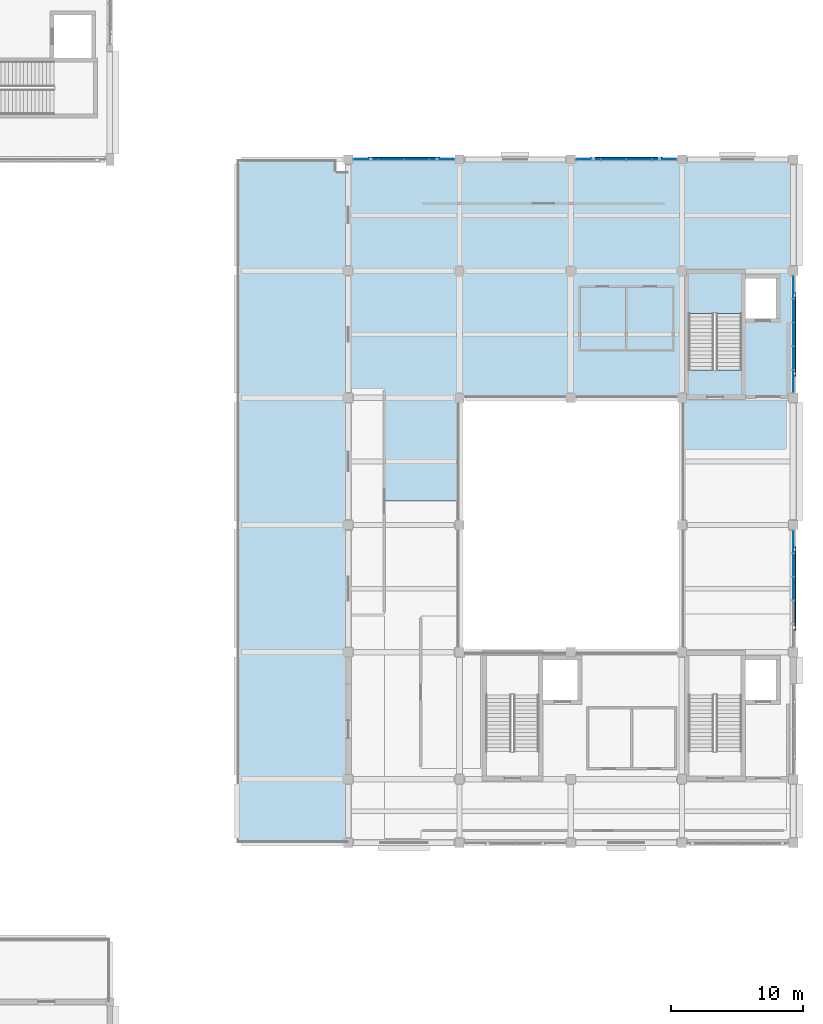
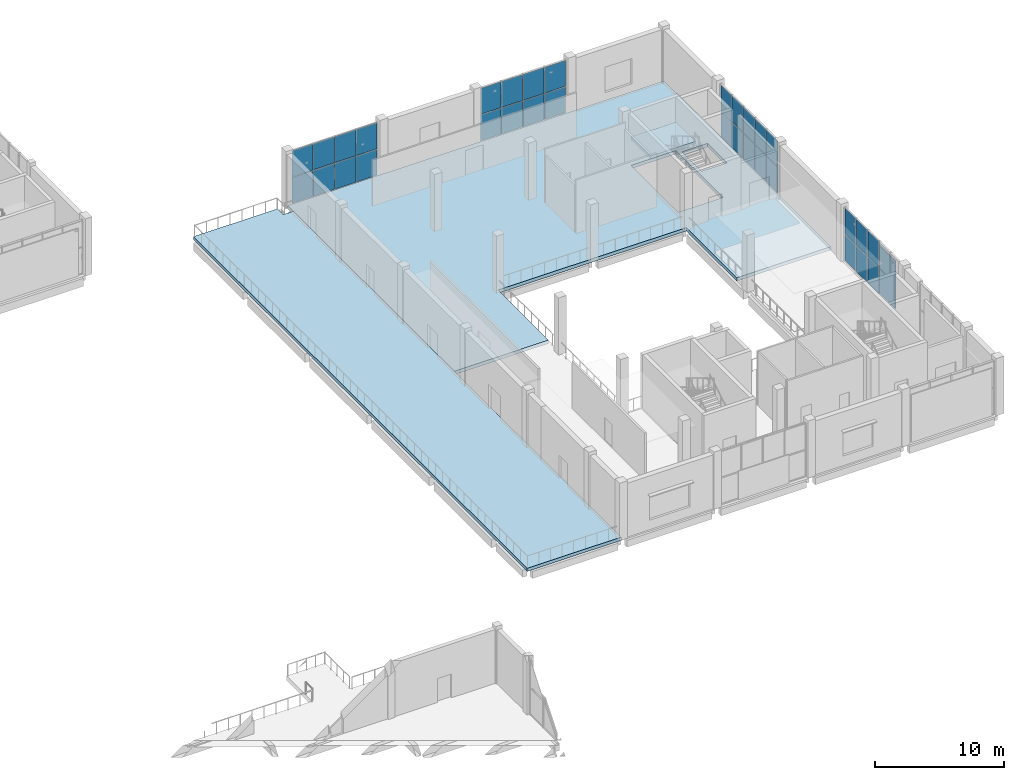
# One storey, part 51 of 83: 36 plates, 3 slabs, 5 elements without a shape of their own.
"""IFC4 building model written with IfcOpenShell, lengths in metres."""

from ifc_helpers import new_model, si_unit, direction, frame, origin, origin_2d, place, context, subcontext, project, spatial, polyline, rectangle, outline, extrude, material, layer, layer_set, type_object, element, aggregate, save


model = new_model("IFC4")

# Units and contexts
model_context = context("Model", 3, precision=1e-05, world=origin(), true_north=direction((0.0, 1.0)))
body_context = subcontext(model_context, "Body", "Model", "MODEL_VIEW")
ifc_project = project(units=[si_unit("LENGTHUNIT", "METRE"), si_unit("AREAUNIT", "SQUARE_METRE"), si_unit("VOLUMEUNIT", "CUBIC_METRE"), si_unit("PLANEANGLEUNIT", "RADIAN"), si_unit("MASSUNIT", "GRAM", prefix="KILO")], contexts=[model_context])

# Site, building, storey
site_placement = place(None, origin())
site = spatial("IfcSite", under=ifc_project, at=site_placement, CompositionType="ELEMENT")
building_placement = place(site_placement, origin())
building = spatial("IfcBuilding", under=site, at=building_placement, Name="Shalvenor Court Art Gallery", CompositionType="ELEMENT")
storey_placement = place(building_placement, frame((0.0, 0.0, 6.0)))
storey = spatial("IfcBuildingStorey", under=building, at=storey_placement, Name="L01", CompositionType="ELEMENT", Elevation=6.0)

# Curtain wall, plates
ifc_material_1 = material(Name="Anodised aluminium and low-iron glass curtain wall", Category="aluminium")
curtain_wall_type_1 = type_object("IfcCurtainWallType", Name="CW-4x2-77-51-612", PredefinedType="USERDEFINED", material=ifc_material_1)
curtain_wall_1_placement = place(storey_placement, origin())
curtain_wall_1 = element("IfcCurtainWall", 1, at=curtain_wall_1_placement, inside=storey, type_object=curtain_wall_type_1, Name="L01 V1 Curtain Wall CW-L01-003", ObjectType="CURTAIN WALL", PredefinedType="USERDEFINED")
ifc_material_2 = material(Name="Low-iron triple-silver solar gallery glazing IGU", Category="glass")
ifc_layer_1 = layer(ifc_material_2, 0.031982421875, Name="Low-iron triple-silver solar gallery glazing IGU")
ifc_layer_set_1 = layer_set([ifc_layer_1], Name="Low-iron triple-silver solar gallery glazing IGU")
plate_type_1 = type_object("IfcPlateType", Name="CWP-02", PredefinedType="CURTAIN_PANEL", material=ifc_layer_set_1)
plate_1_placement = place(storey_placement, frame((144.126220703125, 97.199951171875, 0.06005859375), z_axis=(0.0, 0.0, 1.0), x_axis=(1.0, 0.0, 0.0)))
plate_1 = element("IfcPlate", 2, at=plate_1_placement, type_object=plate_type_1, Name="CW-4x2-77-51-612 panel 1.1", PredefinedType="CURTAIN_PANEL", context=body_context, shape_type="SweptSolid", body=[
    extrude(rectangle(XDim=1.842529296875, YDim=0.031982421875, at=origin_2d()), origin(), (0.0, 0.0, 1.0), 2.449951171875),
])
plate_2_placement = place(storey_placement, frame((144.126220703125, 97.199951171875, 2.56982421875), z_axis=(0.0, 0.0, 1.0), x_axis=(1.0, 0.0, 0.0)))
plate_2 = element("IfcPlate", 3, at=plate_2_placement, type_object=plate_type_1, Name="CW-4x2-77-51-612 panel 1.2", PredefinedType="CURTAIN_PANEL", context=body_context, shape_type="SweptSolid", body=[
    extrude(rectangle(XDim=1.842529296875, YDim=0.031982421875, at=origin_2d()), origin(), (0.0, 0.0, 1.0), 2.449951171875),
])
plate_3_placement = place(storey_placement, frame((146.03759765625, 97.199951171875, 0.06005859375), z_axis=(0.0, 0.0, 1.0), x_axis=(1.0, 0.0, 0.0)))
plate_3 = element("IfcPlate", 4, at=plate_3_placement, type_object=plate_type_1, Name="CW-4x2-77-51-612 panel 2.1", PredefinedType="CURTAIN_PANEL", context=body_context, shape_type="SweptSolid", body=[
    extrude(rectangle(XDim=1.8701171875, YDim=0.031982421875, at=origin_2d()), origin(), (0.0, 0.0, 1.0), 2.449951171875),
])
plate_4_placement = place(storey_placement, frame((146.03759765625, 97.199951171875, 2.56982421875), z_axis=(0.0, 0.0, 1.0), x_axis=(1.0, 0.0, 0.0)))
plate_4 = element("IfcPlate", 5, at=plate_4_placement, type_object=plate_type_1, Name="CW-4x2-77-51-612 panel 2.2", PredefinedType="CURTAIN_PANEL", context=body_context, shape_type="SweptSolid", body=[
    extrude(rectangle(XDim=1.8701171875, YDim=0.031982421875, at=origin_2d()), origin(), (0.0, 0.0, 1.0), 2.449951171875),
])
plate_5_placement = place(storey_placement, frame((147.96240234375, 97.199951171875, 0.06005859375), z_axis=(0.0, 0.0, 1.0), x_axis=(1.0, 0.0, 0.0)))
plate_5 = element("IfcPlate", 6, at=plate_5_placement, type_object=plate_type_1, Name="CW-4x2-77-51-612 panel 3.1", PredefinedType="CURTAIN_PANEL", context=body_context, shape_type="SweptSolid", body=[
    extrude(rectangle(XDim=1.8701171875, YDim=0.031982421875, at=origin_2d()), origin(), (0.0, 0.0, 1.0), 2.449951171875),
])
plate_6_placement = place(storey_placement, frame((147.96240234375, 97.199951171875, 2.56982421875), z_axis=(0.0, 0.0, 1.0), x_axis=(1.0, 0.0, 0.0)))
plate_6 = element("IfcPlate", 7, at=plate_6_placement, type_object=plate_type_1, Name="CW-4x2-77-51-612 panel 3.2", PredefinedType="CURTAIN_PANEL", context=body_context, shape_type="SweptSolid", body=[
    extrude(rectangle(XDim=1.8701171875, YDim=0.031982421875, at=origin_2d()), origin(), (0.0, 0.0, 1.0), 2.449951171875),
])
plate_7_placement = place(storey_placement, frame((149.873779296875, 97.199951171875, 0.06005859375), z_axis=(0.0, 0.0, 1.0), x_axis=(1.0, 0.0, 0.0)))
plate_7 = element("IfcPlate", 8, at=plate_7_placement, type_object=plate_type_1, Name="CW-4x2-77-51-612 panel 4.1", PredefinedType="CURTAIN_PANEL", context=body_context, shape_type="SweptSolid", body=[
    extrude(rectangle(XDim=1.842529296875, YDim=0.031982421875, at=origin_2d()), origin(), (0.0, 0.0, 1.0), 2.449951171875),
])
plate_8_placement = place(storey_placement, frame((149.873779296875, 97.199951171875, 2.56982421875), z_axis=(0.0, 0.0, 1.0), x_axis=(1.0, 0.0, 0.0)))
plate_8 = element("IfcPlate", 9, at=plate_8_placement, type_object=plate_type_1, Name="CW-4x2-77-51-612 panel 4.2", PredefinedType="CURTAIN_PANEL", context=body_context, shape_type="SweptSolid", body=[
    extrude(rectangle(XDim=1.842529296875, YDim=0.031982421875, at=origin_2d()), origin(), (0.0, 0.0, 1.0), 2.449951171875),
])
aggregate(curtain_wall_1, [plate_1, plate_2, plate_3, plate_4, plate_5, plate_6, plate_7, plate_8])

ifc_material_3 = material(Name="Anodised aluminium and low-iron glass curtain wall", Category="aluminium")
curtain_wall_type_2 = type_object("IfcCurtainWallType", Name="CW-4x2-77-51-122", PredefinedType="USERDEFINED", material=ifc_material_3)
curtain_wall_2_placement = place(storey_placement, origin())
curtain_wall_2 = element("IfcCurtainWall", 10, at=curtain_wall_2_placement, inside=storey, type_object=curtain_wall_type_2, Name="L01 V1 Curtain Wall CW-L01-004", ObjectType="CURTAIN WALL", PredefinedType="USERDEFINED")
plate_9_placement = place(storey_placement, frame((160.9287109375, 97.199951171875, 0.06494140625), z_axis=(0.0, 0.0, 1.0), x_axis=(1.0, 0.0, 0.0)))
plate_9 = element("IfcPlate", 11, at=plate_9_placement, type_object=plate_type_1, Name="CW-4x2-77-51-122 panel 1.1", PredefinedType="CURTAIN_PANEL", context=body_context, shape_type="SweptSolid", body=[
    extrude(rectangle(XDim=1.827392578125, YDim=0.031982421875, at=origin_2d()), origin(), (0.0, 0.0, 1.0), 2.4423828125),
])
plate_10_placement = place(storey_placement, frame((160.9287109375, 97.199951171875, 2.572509765625), z_axis=(0.0, 0.0, 1.0), x_axis=(1.0, 0.0, 0.0)))
plate_10 = element("IfcPlate", 12, at=plate_10_placement, type_object=plate_type_1, Name="CW-4x2-77-51-122 panel 1.2", PredefinedType="CURTAIN_PANEL", context=body_context, shape_type="SweptSolid", body=[
    extrude(rectangle(XDim=1.827392578125, YDim=0.031982421875, at=origin_2d()), origin(), (0.0, 0.0, 1.0), 2.4423828125),
])
plate_11_placement = place(storey_placement, frame((162.83740234375, 97.199951171875, 0.06494140625), z_axis=(0.0, 0.0, 1.0), x_axis=(1.0, 0.0, 0.0)))
plate_11 = element("IfcPlate", 13, at=plate_11_placement, type_object=plate_type_1, Name="CW-4x2-77-51-122 panel 2.1", PredefinedType="CURTAIN_PANEL", context=body_context, shape_type="SweptSolid", body=[
    extrude(rectangle(XDim=1.860107421875, YDim=0.031982421875, at=origin_2d()), origin(), (0.0, 0.0, 1.0), 2.4423828125),
])
plate_12_placement = place(storey_placement, frame((162.83740234375, 97.199951171875, 2.572509765625), z_axis=(0.0, 0.0, 1.0), x_axis=(1.0, 0.0, 0.0)))
plate_12 = element("IfcPlate", 14, at=plate_12_placement, type_object=plate_type_1, Name="CW-4x2-77-51-122 panel 2.2", PredefinedType="CURTAIN_PANEL", context=body_context, shape_type="SweptSolid", body=[
    extrude(rectangle(XDim=1.860107421875, YDim=0.031982421875, at=origin_2d()), origin(), (0.0, 0.0, 1.0), 2.4423828125),
])
plate_13_placement = place(storey_placement, frame((164.762451171875, 97.199951171875, 0.06494140625), z_axis=(0.0, 0.0, 1.0), x_axis=(1.0, 0.0, 0.0)))
plate_13 = element("IfcPlate", 15, at=plate_13_placement, type_object=plate_type_1, Name="CW-4x2-77-51-122 panel 3.1", PredefinedType="CURTAIN_PANEL", context=body_context, shape_type="SweptSolid", body=[
    extrude(rectangle(XDim=1.860107421875, YDim=0.031982421875, at=origin_2d()), origin(), (0.0, 0.0, 1.0), 2.4423828125),
])
plate_14_placement = place(storey_placement, frame((164.762451171875, 97.199951171875, 2.572509765625), z_axis=(0.0, 0.0, 1.0), x_axis=(1.0, 0.0, 0.0)))
plate_14 = element("IfcPlate", 16, at=plate_14_placement, type_object=plate_type_1, Name="CW-4x2-77-51-122 panel 3.2", PredefinedType="CURTAIN_PANEL", context=body_context, shape_type="SweptSolid", body=[
    extrude(rectangle(XDim=1.860107421875, YDim=0.031982421875, at=origin_2d()), origin(), (0.0, 0.0, 1.0), 2.4423828125),
])
plate_15_placement = place(storey_placement, frame((166.671142578125, 97.199951171875, 0.06494140625), z_axis=(0.0, 0.0, 1.0), x_axis=(1.0, 0.0, 0.0)))
plate_15 = element("IfcPlate", 17, at=plate_15_placement, type_object=plate_type_1, Name="CW-4x2-77-51-122 panel 4.1", PredefinedType="CURTAIN_PANEL", context=body_context, shape_type="SweptSolid", body=[
    extrude(rectangle(XDim=1.827392578125, YDim=0.031982421875, at=origin_2d()), origin(), (0.0, 0.0, 1.0), 2.4423828125),
])
plate_16_placement = place(storey_placement, frame((166.671142578125, 97.199951171875, 2.572509765625), z_axis=(0.0, 0.0, 1.0), x_axis=(1.0, 0.0, 0.0)))
plate_16 = element("IfcPlate", 18, at=plate_16_placement, type_object=plate_type_1, Name="CW-4x2-77-51-122 panel 4.2", PredefinedType="CURTAIN_PANEL", context=body_context, shape_type="SweptSolid", body=[
    extrude(rectangle(XDim=1.827392578125, YDim=0.031982421875, at=origin_2d()), origin(), (0.0, 0.0, 1.0), 2.4423828125),
])
aggregate(curtain_wall_2, [plate_9, plate_10, plate_11, plate_12, plate_13, plate_14, plate_15, plate_16])

ifc_material_4 = material(Name="Anodised aluminium and low-iron glass curtain wall", Category="aluminium")
curtain_wall_type_3 = type_object("IfcCurtainWallType", Name="CW-5x2-89-51-242", PredefinedType="USERDEFINED", material=ifc_material_4)
curtain_wall_3_placement = place(storey_placement, origin())
curtain_wall_3 = element("IfcCurtainWall", 19, at=curtain_wall_3_placement, inside=storey, type_object=curtain_wall_type_3, Name="L01 V1 Curtain Wall CW-L01-005", ObjectType="CURTAIN WALL", PredefinedType="USERDEFINED")
plate_17_placement = place(storey_placement, frame((176.39990234375, 87.54248046875, 0.070068359375), z_axis=(0.0, 0.0, 1.0), x_axis=(0.0, -1.0, 0.0)))
plate_17 = element("IfcPlate", 20, at=plate_17_placement, type_object=plate_type_1, Name="CW-5x2-89-51-242 panel 1.1", PredefinedType="CURTAIN_PANEL", context=body_context, shape_type="SweptSolid", body=[
    extrude(rectangle(XDim=1.675048828125, YDim=0.031982421875, at=origin_2d()), origin(), (0.0, 0.0, 1.0), 2.43505859375),
])
plate_18_placement = place(storey_placement, frame((176.39990234375, 87.54248046875, 2.574951171875), z_axis=(0.0, 0.0, 1.0), x_axis=(0.0, -1.0, 0.0)))
plate_18 = element("IfcPlate", 21, at=plate_18_placement, type_object=plate_type_1, Name="CW-5x2-89-51-242 panel 1.2", PredefinedType="CURTAIN_PANEL", context=body_context, shape_type="SweptSolid", body=[
    extrude(rectangle(XDim=1.675048828125, YDim=0.031982421875, at=origin_2d()), origin(), (0.0, 0.0, 1.0), 2.43505859375),
])
plate_19_placement = place(storey_placement, frame((176.39990234375, 85.780029296875, 0.070068359375), z_axis=(0.0, 0.0, 1.0), x_axis=(0.0, -1.0, 0.0)))
plate_19 = element("IfcPlate", 22, at=plate_19_placement, type_object=plate_type_1, Name="CW-5x2-89-51-242 panel 2.1", PredefinedType="CURTAIN_PANEL", context=body_context, shape_type="SweptSolid", body=[
    extrude(rectangle(XDim=1.7099609375, YDim=0.031982421875, at=origin_2d()), origin(), (0.0, 0.0, 1.0), 2.43505859375),
])
plate_20_placement = place(storey_placement, frame((176.39990234375, 85.780029296875, 2.574951171875), z_axis=(0.0, 0.0, 1.0), x_axis=(0.0, -1.0, 0.0)))
plate_20 = element("IfcPlate", 23, at=plate_20_placement, type_object=plate_type_1, Name="CW-5x2-89-51-242 panel 2.2", PredefinedType="CURTAIN_PANEL", context=body_context, shape_type="SweptSolid", body=[
    extrude(rectangle(XDim=1.7099609375, YDim=0.031982421875, at=origin_2d()), origin(), (0.0, 0.0, 1.0), 2.43505859375),
])
plate_21_placement = place(storey_placement, frame((176.39990234375, 84.0, 0.070068359375), z_axis=(0.0, 0.0, 1.0), x_axis=(0.0, -1.0, 0.0)))
plate_21 = element("IfcPlate", 24, at=plate_21_placement, type_object=plate_type_1, Name="CW-5x2-89-51-242 panel 3.1", PredefinedType="CURTAIN_PANEL", context=body_context, shape_type="SweptSolid", body=[
    extrude(rectangle(XDim=1.7099609375, YDim=0.031982421875, at=origin_2d()), origin(), (0.0, 0.0, 1.0), 2.43505859375),
])
plate_22_placement = place(storey_placement, frame((176.39990234375, 84.0, 2.574951171875), z_axis=(0.0, 0.0, 1.0), x_axis=(0.0, -1.0, 0.0)))
plate_22 = element("IfcPlate", 25, at=plate_22_placement, type_object=plate_type_1, Name="CW-5x2-89-51-242 panel 3.2", PredefinedType="CURTAIN_PANEL", context=body_context, shape_type="SweptSolid", body=[
    extrude(rectangle(XDim=1.7099609375, YDim=0.031982421875, at=origin_2d()), origin(), (0.0, 0.0, 1.0), 2.43505859375),
])
plate_23_placement = place(storey_placement, frame((176.39990234375, 82.219970703125, 0.070068359375), z_axis=(0.0, 0.0, 1.0), x_axis=(0.0, -1.0, 0.0)))
plate_23 = element("IfcPlate", 26, at=plate_23_placement, type_object=plate_type_1, Name="CW-5x2-89-51-242 panel 4.1", PredefinedType="CURTAIN_PANEL", context=body_context, shape_type="SweptSolid", body=[
    extrude(rectangle(XDim=1.7099609375, YDim=0.031982421875, at=origin_2d()), origin(), (0.0, 0.0, 1.0), 2.43505859375),
])
plate_24_placement = place(storey_placement, frame((176.39990234375, 82.219970703125, 2.574951171875), z_axis=(0.0, 0.0, 1.0), x_axis=(0.0, -1.0, 0.0)))
plate_24 = element("IfcPlate", 27, at=plate_24_placement, type_object=plate_type_1, Name="CW-5x2-89-51-242 panel 4.2", PredefinedType="CURTAIN_PANEL", context=body_context, shape_type="SweptSolid", body=[
    extrude(rectangle(XDim=1.7099609375, YDim=0.031982421875, at=origin_2d()), origin(), (0.0, 0.0, 1.0), 2.43505859375),
])
plate_25_placement = place(storey_placement, frame((176.39990234375, 80.45751953125, 0.070068359375), z_axis=(0.0, 0.0, 1.0), x_axis=(0.0, -1.0, 0.0)))
plate_25 = element("IfcPlate", 28, at=plate_25_placement, type_object=plate_type_1, Name="CW-5x2-89-51-242 panel 5.1", PredefinedType="CURTAIN_PANEL", context=body_context, shape_type="SweptSolid", body=[
    extrude(rectangle(XDim=1.675048828125, YDim=0.031982421875, at=origin_2d()), origin(), (0.0, 0.0, 1.0), 2.43505859375),
])
plate_26_placement = place(storey_placement, frame((176.39990234375, 80.45751953125, 2.574951171875), z_axis=(0.0, 0.0, 1.0), x_axis=(0.0, -1.0, 0.0)))
plate_26 = element("IfcPlate", 29, at=plate_26_placement, type_object=plate_type_1, Name="CW-5x2-89-51-242 panel 5.2", PredefinedType="CURTAIN_PANEL", context=body_context, shape_type="SweptSolid", body=[
    extrude(rectangle(XDim=1.675048828125, YDim=0.031982421875, at=origin_2d()), origin(), (0.0, 0.0, 1.0), 2.43505859375),
])
aggregate(curtain_wall_3, [plate_17, plate_18, plate_19, plate_20, plate_21, plate_22, plate_23, plate_24, plate_25, plate_26])

ifc_material_5 = material(Name="Anodised aluminium and low-iron glass curtain wall", Category="aluminium")
curtain_wall_type_4 = type_object("IfcCurtainWallType", Name="CW-5x2-89-51-412", PredefinedType="USERDEFINED", material=ifc_material_5)
curtain_wall_4_placement = place(storey_placement, origin())
curtain_wall_4 = element("IfcCurtainWall", 30, at=curtain_wall_4_placement, inside=storey, type_object=curtain_wall_type_4, Name="L01 V1 Curtain Wall CW-L01-006", ObjectType="CURTAIN WALL", PredefinedType="USERDEFINED")
plate_27_placement = place(storey_placement, frame((176.39990234375, 68.34130859375, 0.06005859375), z_axis=(0.0, 0.0, 1.0), x_axis=(0.0, -1.0, 0.0)))
plate_27 = element("IfcPlate", 31, at=plate_27_placement, type_object=plate_type_1, Name="CW-5x2-89-51-412 panel 1.1", PredefinedType="CURTAIN_PANEL", context=body_context, shape_type="SweptSolid", body=[
    extrude(rectangle(XDim=1.66748046875, YDim=0.031982421875, at=origin_2d()), origin(), (0.0, 0.0, 1.0), 2.449951171875),
])
plate_28_placement = place(storey_placement, frame((176.39990234375, 68.34130859375, 2.56982421875), z_axis=(0.0, 0.0, 1.0), x_axis=(0.0, -1.0, 0.0)))
plate_28 = element("IfcPlate", 32, at=plate_28_placement, type_object=plate_type_1, Name="CW-5x2-89-51-412 panel 1.2", PredefinedType="CURTAIN_PANEL", context=body_context, shape_type="SweptSolid", body=[
    extrude(rectangle(XDim=1.66748046875, YDim=0.031982421875, at=origin_2d()), origin(), (0.0, 0.0, 1.0), 2.449951171875),
])
plate_29_placement = place(storey_placement, frame((176.39990234375, 66.580078125, 0.06005859375), z_axis=(0.0, 0.0, 1.0), x_axis=(0.0, -1.0, 0.0)))
plate_29 = element("IfcPlate", 33, at=plate_29_placement, type_object=plate_type_1, Name="CW-5x2-89-51-412 panel 2.1", PredefinedType="CURTAIN_PANEL", context=body_context, shape_type="SweptSolid", body=[
    extrude(rectangle(XDim=1.705078125, YDim=0.031982421875, at=origin_2d()), origin(), (0.0, 0.0, 1.0), 2.449951171875),
])
plate_30_placement = place(storey_placement, frame((176.39990234375, 66.580078125, 2.56982421875), z_axis=(0.0, 0.0, 1.0), x_axis=(0.0, -1.0, 0.0)))
plate_30 = element("IfcPlate", 34, at=plate_30_placement, type_object=plate_type_1, Name="CW-5x2-89-51-412 panel 2.2", PredefinedType="CURTAIN_PANEL", context=body_context, shape_type="SweptSolid", body=[
    extrude(rectangle(XDim=1.705078125, YDim=0.031982421875, at=origin_2d()), origin(), (0.0, 0.0, 1.0), 2.449951171875),
])
plate_31_placement = place(storey_placement, frame((176.39990234375, 64.800048828125, 0.06005859375), z_axis=(0.0, 0.0, 1.0), x_axis=(0.0, -1.0, 0.0)))
plate_31 = element("IfcPlate", 35, at=plate_31_placement, type_object=plate_type_1, Name="CW-5x2-89-51-412 panel 3.1", PredefinedType="CURTAIN_PANEL", context=body_context, shape_type="SweptSolid", body=[
    extrude(rectangle(XDim=1.705078125, YDim=0.031982421875, at=origin_2d()), origin(), (0.0, 0.0, 1.0), 2.449951171875),
])
plate_32_placement = place(storey_placement, frame((176.39990234375, 64.800048828125, 2.56982421875), z_axis=(0.0, 0.0, 1.0), x_axis=(0.0, -1.0, 0.0)))
plate_32 = element("IfcPlate", 36, at=plate_32_placement, type_object=plate_type_1, Name="CW-5x2-89-51-412 panel 3.2", PredefinedType="CURTAIN_PANEL", context=body_context, shape_type="SweptSolid", body=[
    extrude(rectangle(XDim=1.705078125, YDim=0.031982421875, at=origin_2d()), origin(), (0.0, 0.0, 1.0), 2.449951171875),
])
aggregate(curtain_wall_4, [plate_27, plate_28, plate_29, plate_30, plate_31, plate_32])

# Slab
ifc_material_6 = material(Name="Concrete C40/50", Category="concrete")
ifc_layer_2 = layer(ifc_material_6, 0.320068359375, Name="Concrete C40/50")
ifc_layer_set_2 = layer_set([ifc_layer_2], Name="Concrete C40/50")
slab_type_1 = type_object("IfcSlabType", Name="FS-320", PredefinedType="FLOOR", material=ifc_layer_set_2)
slab_1_placement = place(storey_placement, frame((0.0, 0.0, -0.320068359375)))
element("IfcSlab", 37, at=slab_1_placement, inside=storey, type_object=slab_type_1, Name="L01 V1 Floor Slab 2", PredefinedType="FLOOR", context=body_context, shape_type="SweptSolid", body=[
    extrude(outline(polyline([(176.39990234375, 71.39990234375), (168.0, 71.39990234375), (168.0, 79.199951171875), (151.199951171875, 79.199951171875), (151.199951171875, 71.39990234375), (142.800048828125, 71.39990234375), (142.800048828125, 97.199951171875), (176.39990234375, 97.199951171875), (176.39990234375, 71.39990234375)]), holes=[polyline([(168.5, 81.31103515625), (172.5, 81.31103515625), (172.5, 88.60009765625), (168.5, 88.60009765625), (168.5, 81.31103515625)]), polyline([(175.10009765625, 85.199951171875), (175.10009765625, 88.199951171875), (172.81201171875, 88.199951171875), (172.81201171875, 85.199951171875), (175.10009765625, 85.199951171875)])]), origin(), (0.0, 0.0, 1.0), 0.320068359375),
])

# Plates
ifc_material_7 = material(Name="Perforated pale limestone GRC lattice", Category="masonry")
ifc_layer_3 = layer(ifc_material_7, 0.090087890625, Name="Perforated pale limestone GRC lattice")
ifc_layer_set_3 = layer_set([ifc_layer_3], Name="Perforated pale limestone GRC lattice")
plate_type_2 = type_object("IfcPlateType", Name="SCR-03", PredefinedType="USERDEFINED", material=ifc_layer_set_3)
plate_33_placement = place(storey_placement, frame((147.0, 97.31298828125, 0.0), z_axis=(0.0, 0.0, 1.0), x_axis=(1.0, 0.0, 0.0)))
element("IfcPlate", 38, at=plate_33_placement, inside=storey, type_object=plate_type_2, Name="L01 V1 Perforated Stone Lattice Screen PLT-SCR-0003", ObjectType="SCREEN", PredefinedType="USERDEFINED", context=body_context, shape_type="SweptSolid", body=[
    extrude(rectangle(XDim=5.39990234375, YDim=0.090087890625, at=origin_2d()), origin(), (0.0, 0.0, 1.0), 3.60009765625),
])
ifc_material_8 = material(Name="Perforated pale limestone GRC lattice", Category="masonry")
ifc_layer_4 = layer(ifc_material_8, 0.090087890625, Name="Perforated pale limestone GRC lattice")
ifc_layer_set_4 = layer_set([ifc_layer_4], Name="Perforated pale limestone GRC lattice")
plate_type_3 = type_object("IfcPlateType", Name="SCR-04", PredefinedType="USERDEFINED", material=ifc_layer_set_4)
plate_34_placement = place(storey_placement, frame((163.800048828125, 97.3330078125, 0.0), z_axis=(0.0, 0.0, 1.0), x_axis=(1.0, 0.0, 0.0)))
element("IfcPlate", 39, at=plate_34_placement, inside=storey, type_object=plate_type_3, Name="L01 V1 Perforated Stone Lattice Screen PLT-SCR-0004", ObjectType="SCREEN", PredefinedType="USERDEFINED", context=body_context, shape_type="SweptSolid", body=[
    extrude(rectangle(XDim=5.39990234375, YDim=0.090087890625, at=origin_2d()), origin(), (0.0, 0.0, 1.0), 4.5),
])
ifc_material_9 = material(Name="Perforated pale limestone GRC lattice", Category="masonry")
ifc_layer_5 = layer(ifc_material_9, 0.090087890625, Name="Perforated pale limestone GRC lattice")
ifc_layer_set_5 = layer_set([ifc_layer_5], Name="Perforated pale limestone GRC lattice")
plate_type_4 = type_object("IfcPlateType", Name="SCR-05", PredefinedType="USERDEFINED", material=ifc_layer_set_5)
plate_35_placement = place(storey_placement, frame((176.54296875, 84.0, 0.0), z_axis=(0.0, 0.0, 1.0), x_axis=(0.0, -1.0, 0.0)))
element("IfcPlate", 40, at=plate_35_placement, inside=storey, type_object=plate_type_4, Name="L01 V1 Perforated Stone Lattice Screen PLT-SCR-0005", ObjectType="SCREEN", PredefinedType="USERDEFINED", context=body_context, shape_type="SweptSolid", body=[
    extrude(rectangle(XDim=6.300048828125, YDim=0.090087890625, at=origin_2d()), origin(), (0.0, 0.0, 1.0), 3.60009765625),
])
ifc_material_10 = material(Name="Perforated pale limestone GRC lattice", Category="masonry")
ifc_layer_6 = layer(ifc_material_10, 0.090087890625, Name="Perforated pale limestone GRC lattice")
ifc_layer_set_6 = layer_set([ifc_layer_6], Name="Perforated pale limestone GRC lattice")
plate_type_5 = type_object("IfcPlateType", Name="SCR-06", PredefinedType="USERDEFINED", material=ifc_layer_set_6)
plate_36_placement = place(storey_placement, frame((176.552978515625, 64.800048828125, 0.0), z_axis=(0.0, 0.0, 1.0), x_axis=(0.0, -1.0, 0.0)))
element("IfcPlate", 41, at=plate_36_placement, inside=storey, type_object=plate_type_5, Name="L01 V1 Perforated Stone Lattice Screen PLT-SCR-0006", ObjectType="SCREEN", PredefinedType="USERDEFINED", context=body_context, shape_type="SweptSolid", body=[
    extrude(rectangle(XDim=6.300048828125, YDim=0.090087890625, at=origin_2d()), origin(), (0.0, 0.0, 1.0), 4.5),
])

# Stair, slab
ifc_material_11 = material(Name="Concrete C40/50", Category="concrete")
stair_type = type_object("IfcStairType", Name="ST-DL-32R-1900", PredefinedType="HALF_TURN_STAIR", material=ifc_material_11)
stair_placement = place(storey_placement, origin())
stair = element("IfcStair", 42, at=stair_placement, inside=storey, type_object=stair_type, Name="L01 Core Dogleg Stair ST-01", PredefinedType="HALF_TURN_STAIR")
ifc_material_12 = material(Name="Concrete C40/50", Category="concrete")
ifc_layer_7 = layer(ifc_material_12, 0.300048828125, Name="Concrete C40/50")
ifc_layer_set_7 = layer_set([ifc_layer_7], Name="Concrete C40/50")
slab_type_2 = type_object("IfcSlabType", Name="SLD-300", PredefinedType="LANDING", material=ifc_layer_set_7)
slab_2_placement = place(storey_placement, frame((0.0, 0.0, 2.39990234375)))
slab_2 = element("IfcSlab", 43, at=slab_2_placement, type_object=slab_type_2, Name="ST-DL-32R-1900 landing 1", PredefinedType="LANDING", context=body_context, shape_type="SweptSolid", body=[
    extrude(outline(polyline([(172.5, 85.574951171875), (172.5, 88.60009765625), (168.5, 88.60009765625), (168.5, 85.574951171875), (172.5, 85.574951171875)])), origin(), (0.0, 0.0, 1.0), 0.300048828125),
])
aggregate(stair, [slab_2])

# Slab
ifc_material_13 = material(Name="Concrete C40/50", Category="concrete")
ifc_layer_8 = layer(ifc_material_13, 0.300048828125, Name="Concrete C40/50")
ifc_layer_set_8 = layer_set([ifc_layer_8], Name="Concrete C40/50")
slab_type_3 = type_object("IfcSlabType", Name="TS-300", PredefinedType="FLOOR", material=ifc_layer_set_8)
slab_3_placement = place(storey_placement, frame((0.0, 0.0, -0.300048828125)))
element("IfcSlab", 44, at=slab_3_placement, inside=storey, type_object=slab_type_3, Name="L01 V1 Outdoor Sculpture Terrace", PredefinedType="FLOOR", context=body_context, shape_type="SweptSolid", body=[
    extrude(outline(polyline([(142.800048828125, 45.60009765625), (134.39990234375, 45.60009765625), (134.39990234375, 97.199951171875), (141.89990234375, 97.199951171875), (141.89990234375, 96.300048828125), (142.800048828125, 96.300048828125), (142.800048828125, 45.60009765625)])), origin(), (0.0, 0.0, 1.0), 0.300048828125),
])

save(model, "model.ifc")
